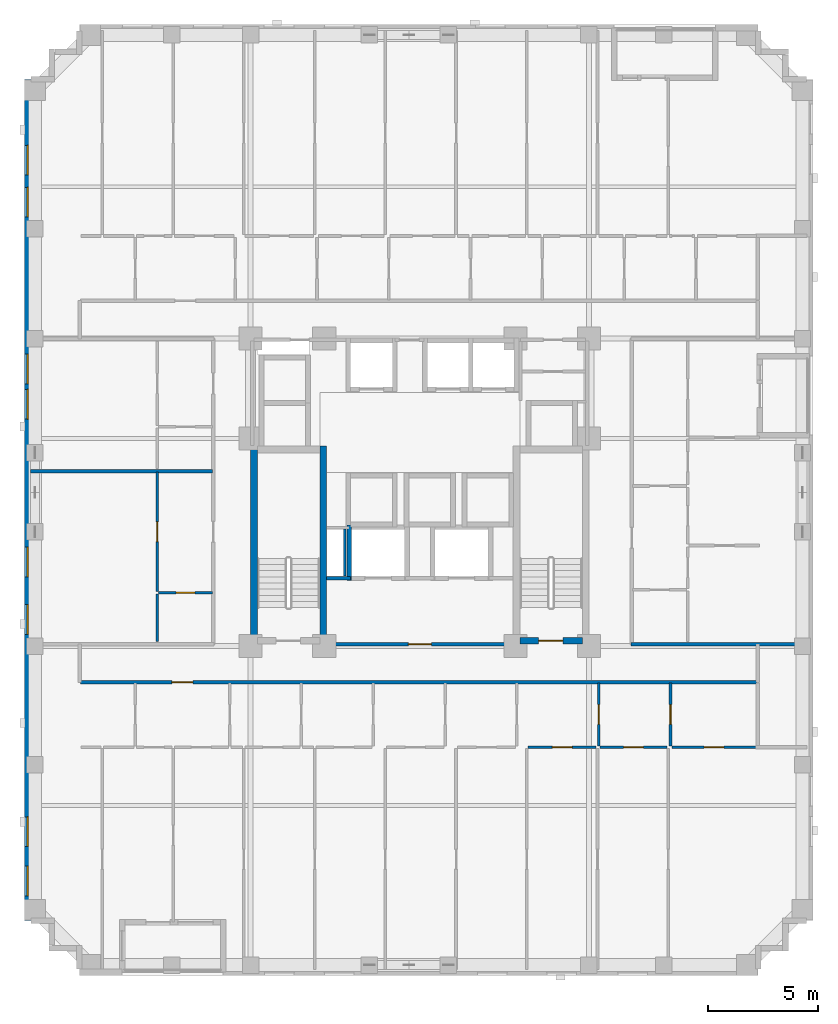
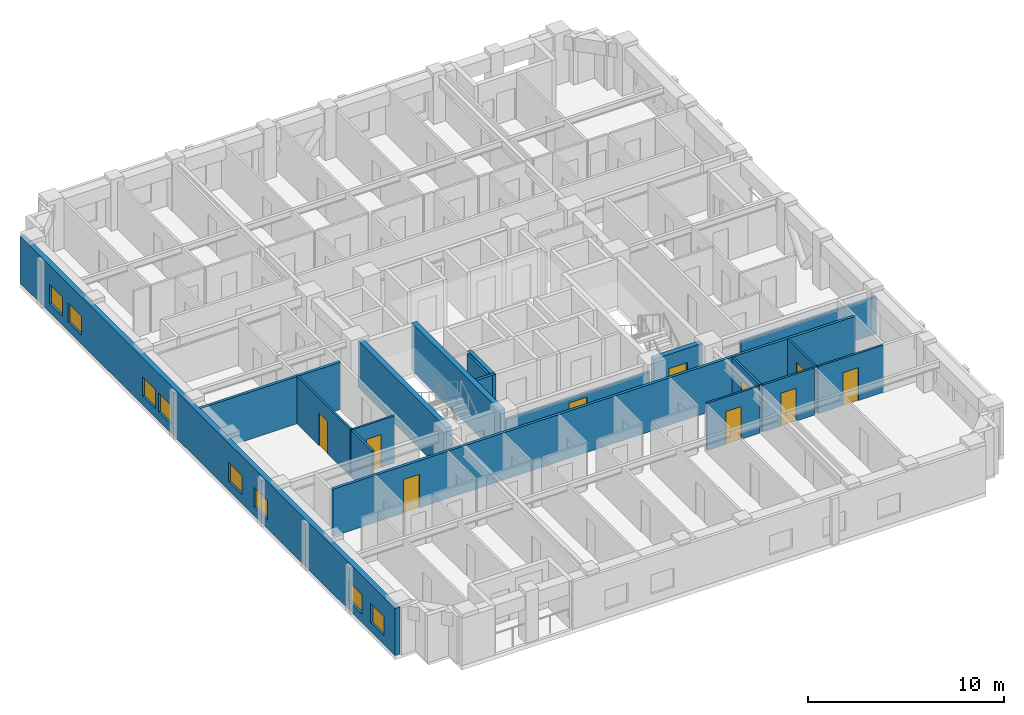
# One storey, part 4 of 13: 19 walls, 10 doors, 8 windows, 18 openings.
"""IFC4 building model written with IfcOpenShell, lengths in metres."""

from ifc_helpers import new_model, si_unit, derived_unit, direction, frame, frame_2d, origin, place, context, subcontext, project, spatial, rectangle, extrude, material, layer, layer_set, type_object, element, fill, save


model = new_model("IFC4")

# Units and contexts
model_context = context("Model", 3, precision=1e-05, world=origin(), true_north=direction((0.0, 1.0)))
body_context = subcontext(model_context, "Body", "Model", "MODEL_VIEW")
ifc_project = project(units=[si_unit("LENGTHUNIT", "METRE"), si_unit("AREAUNIT", "SQUARE_METRE"), si_unit("VOLUMEUNIT", "CUBIC_METRE"), si_unit("PLANEANGLEUNIT", "RADIAN"), si_unit("MASSUNIT", "GRAM", prefix="KILO"), derived_unit("THERMALTRANSMITTANCEUNIT", [(si_unit("MASSUNIT", "GRAM", prefix="KILO"), 1), (si_unit("TIMEUNIT", "SECOND"), -3), (si_unit("THERMODYNAMICTEMPERATUREUNIT", "KELVIN"), -1)])], contexts=[model_context])

# Site, building, storey
site_placement = place(None, origin())
site = spatial("IfcSite", under=ifc_project, at=site_placement, CompositionType="ELEMENT")
building_placement = place(site_placement, origin())
building = spatial("IfcBuilding", under=site, at=building_placement, Name="Korrvale Station Residences", CompositionType="ELEMENT")
storey_placement = place(building_placement, frame((0.0, 0.0, 97.5)))
storey = spatial("IfcBuildingStorey", under=building, at=storey_placement, Name="L27", CompositionType="ELEMENT", Elevation=97.5)

# Walls
ifc_material_1 = material(Name="Concrete C60/75", Category="concrete")
ifc_layer_1 = layer(ifc_material_1, 0.300048828125, Name="Concrete C60/75")
ifc_layer_set_1 = layer_set([ifc_layer_1], Name="Concrete C60/75")
wall_type_1 = type_object("IfcWallType", Name="WAL-CORE-300-C60", PredefinedType="SHEAR", material=ifc_layer_set_1)
for number, where, z_axis, x_axis, name in (
    (1, (17.949951171875, 15.10009765625, 0.0), (0.0, 0.0, 1.0), (0.0, 1.0, 0.0), "L27 ST-1 Core Shear Wall West"),
    (2, (21.10009765625, 15.10009765625, 0.0), (0.0, 0.0, 1.0), (0.0, 1.0, 0.0), "L27 ST-1 Core Shear Wall East"),
):
    element("IfcWall", number, at=place(storey_placement, frame(where, z_axis=z_axis, x_axis=x_axis)), inside=storey, type_object=wall_type_1, Name=name, PredefinedType="SHEAR", context=body_context, shape_type="SweptSolid", body=[
        extrude(rectangle(XDim=9.0, YDim=0.300048828125, at=frame_2d((4.5, 0.0))), origin(), (0.0, 0.0, 1.0), 2.93994140625),
    ])

# Wall, opening, door
wall_1_placement = place(storey_placement, frame((30.050048828125, 15.25, 0.0), z_axis=(0.0, 0.0, 1.0), x_axis=(1.0, 0.0, 0.0)))
wall_1 = element("IfcWall", 3, at=wall_1_placement, inside=storey, type_object=wall_type_1, Name="L27 ST-2 Core Shear Wall South", PredefinedType="SHEAR", context=body_context, shape_type="SweptSolid", body=[
    extrude(rectangle(XDim=2.849853515625, YDim=0.300048828125, at=frame_2d((1.4248046875, 0.0))), origin(), (0.0, 0.0, 1.0), 2.93994140625),
])
opening_1_placement = place(wall_1_placement, frame((0.860107421875, 0.0, 0.0)))
opening_1 = element("IfcOpeningElement", 4, at=opening_1_placement, cuts=wall_1, Name="Opening SD-1100", PredefinedType="OPENING", context=body_context, shape_type="SweptSolid", body=[
    extrude(rectangle(XDim=1.10009765625, YDim=2.050048828125, at=frame_2d((0.550048828125, 1.02490234375))), frame((0.0, 0.16015625, 0.0), z_axis=(0.0, -1.0, 0.0), x_axis=(1.0, 0.0, 0.0)), (0.0, 0.0, 1.0), 0.320068359375),
])
ifc_material_2 = material(Name="Hollow-metal fire-rated stair door with closer", Category="steel")
door_type_1 = type_object("IfcDoorType", Name="DR-STAIR-1100", OperationType="NOTDEFINED", PredefinedType="DOOR", material=ifc_material_2)
door_1_placement = place(opening_1_placement, origin())
door_1 = element("IfcDoor", 5, at=door_1_placement, inside=storey, type_object=door_type_1, Name="L27 ST-2 Exit Stair Door", OperationType="SINGLE_SWING_RIGHT", OverallHeight=2.050048828125, OverallWidth=1.10009765625, PredefinedType="DOOR", context=body_context, shape_type="SweptSolid", body=[
    extrude(rectangle(XDim=1.10009765625, YDim=2.050048828125, at=frame_2d((0.550048828125, 1.02490234375))), frame((0.0, 0.02490234375, 0.0), z_axis=(0.0, -1.0, 0.0), x_axis=(1.0, 0.0, 0.0)), (0.0, 0.0, 1.0), 0.050048828125),
])
fill(opening_1, door_1)

# Wall, openings, windows
ifc_material_3 = material(Name="Precast concrete C45/55", Category="concrete")
ifc_layer_2 = layer(ifc_material_3, 0.300048828125, Name="Precast concrete C45/55")
ifc_layer_set_2 = layer_set([ifc_layer_2], Name="Precast concrete C45/55")
wall_type_2 = type_object("IfcWallType", Name="WAL-EXT-PC300", PredefinedType="SOLIDWALL", material=ifc_layer_set_2)
wall_2_placement = place(storey_placement, frame((7.64990234375, 2.5, 0.0), z_axis=(0.0, 0.0, 1.0), x_axis=(0.0, 1.0, 0.0)))
wall_2 = element("IfcWall", 6, at=wall_2_placement, inside=storey, type_object=wall_type_2, Name="L27 West Exterior Precast Wall 1", PredefinedType="SOLIDWALL", context=body_context, shape_type="SweptSolid", body=[
    extrude(rectangle(XDim=38.300048828125, YDim=0.300048828125, at=frame_2d((19.14990234375, 0.0))), origin(), (0.0, 0.0, 1.0), 2.93994140625),
])
opening_2_placement = place(wall_2_placement, frame((3.3798828125, 0.0, 0.550048828125)))
opening_2 = element("IfcOpeningElement", 7, at=opening_2_placement, cuts=wall_2, Name="Opening W-10", PredefinedType="OPENING", context=body_context, shape_type="SweptSolid", body=[
    extrude(rectangle(XDim=1.35009765625, YDim=1.199951171875, at=frame_2d((0.675048828125, 0.60009765625))), frame((0.0, 0.16015625, 0.0), z_axis=(0.0, -1.0, 0.0), x_axis=(1.0, 0.0, 0.0)), (0.0, 0.0, 1.0), 0.320068359375),
])
opening_3_placement = place(wall_2_placement, frame((1.135009765625, 0.0, 0.550048828125)))
opening_3 = element("IfcOpeningElement", 8, at=opening_3_placement, cuts=wall_2, Name="Opening W-10", PredefinedType="OPENING", context=body_context, shape_type="SweptSolid", body=[
    extrude(rectangle(XDim=1.35009765625, YDim=1.199951171875, at=frame_2d((0.675048828125, 0.60009765625))), frame((0.0, 0.16015625, 0.0), z_axis=(0.0, -1.0, 0.0), x_axis=(1.0, 0.0, 0.0)), (0.0, 0.0, 1.0), 0.320068359375),
])
opening_4_placement = place(wall_2_placement, frame((33.946044921875, 0.0, 0.550048828125)))
opening_4 = element("IfcOpeningElement", 9, at=opening_4_placement, cuts=wall_2, Name="Opening W-10", PredefinedType="OPENING", context=body_context, shape_type="SweptSolid", body=[
    extrude(rectangle(XDim=1.35009765625, YDim=1.199951171875, at=frame_2d((0.675048828125, 0.60009765625))), frame((0.0, 0.16015625, 0.0), z_axis=(0.0, -1.0, 0.0), x_axis=(1.0, 0.0, 0.0)), (0.0, 0.0, 1.0), 0.320068359375),
])
opening_5_placement = place(wall_2_placement, frame((32.034912109375, 0.0, 0.550048828125)))
opening_5 = element("IfcOpeningElement", 10, at=opening_5_placement, cuts=wall_2, Name="Opening W-10", PredefinedType="OPENING", context=body_context, shape_type="SweptSolid", body=[
    extrude(rectangle(XDim=1.35009765625, YDim=1.199951171875, at=frame_2d((0.675048828125, 0.60009765625))), frame((0.0, 0.16015625, 0.0), z_axis=(0.0, -1.0, 0.0), x_axis=(1.0, 0.0, 0.0)), (0.0, 0.0, 1.0), 0.320068359375),
])
opening_6_placement = place(wall_2_placement, frame((15.64990234375, 0.0, 0.550048828125)))
opening_6 = element("IfcOpeningElement", 11, at=opening_6_placement, cuts=wall_2, Name="Opening W-10", PredefinedType="OPENING", context=body_context, shape_type="SweptSolid", body=[
    extrude(rectangle(XDim=1.35009765625, YDim=1.199951171875, at=frame_2d((0.675048828125, 0.60009765625))), frame((0.0, 0.16015625, 0.0), z_axis=(0.0, -1.0, 0.0), x_axis=(1.0, 0.0, 0.0)), (0.0, 0.0, 1.0), 0.320068359375),
])
opening_7_placement = place(wall_2_placement, frame((13.034912109375, 0.0, 0.550048828125)))
opening_7 = element("IfcOpeningElement", 12, at=opening_7_placement, cuts=wall_2, Name="Opening W-10", PredefinedType="OPENING", context=body_context, shape_type="SweptSolid", body=[
    extrude(rectangle(XDim=1.35009765625, YDim=1.199951171875, at=frame_2d((0.675048828125, 0.60009765625))), frame((0.0, 0.16015625, 0.0), z_axis=(0.0, -1.0, 0.0), x_axis=(1.0, 0.0, 0.0)), (0.0, 0.0, 1.0), 0.320068359375),
])
opening_8_placement = place(wall_2_placement, frame((22.8310546875, 0.0, 0.550048828125)))
opening_8 = element("IfcOpeningElement", 13, at=opening_8_placement, cuts=wall_2, Name="Opening W-10", PredefinedType="OPENING", context=body_context, shape_type="SweptSolid", body=[
    extrude(rectangle(XDim=1.35009765625, YDim=1.199951171875, at=frame_2d((0.675048828125, 0.60009765625))), frame((0.0, 0.16015625, 0.0), z_axis=(0.0, -1.0, 0.0), x_axis=(1.0, 0.0, 0.0)), (0.0, 0.0, 1.0), 0.320068359375),
])
opening_9_placement = place(wall_2_placement, frame((24.44091796875, 0.0, 0.550048828125)))
opening_9 = element("IfcOpeningElement", 14, at=opening_9_placement, cuts=wall_2, Name="Opening W-10", PredefinedType="OPENING", context=body_context, shape_type="SweptSolid", body=[
    extrude(rectangle(XDim=1.35009765625, YDim=1.199951171875, at=frame_2d((0.675048828125, 0.60009765625))), frame((0.0, 0.16015625, 0.0), z_axis=(0.0, -1.0, 0.0), x_axis=(1.0, 0.0, 0.0)), (0.0, 0.0, 1.0), 0.320068359375),
])
ifc_material_4 = material(Name="Thermally broken aluminium frame with triple low-e glazing", Category="aluminium")
window_type = type_object("IfcWindowType", Name="WIN-W10", PartitioningType="SINGLE_PANEL", PredefinedType="WINDOW", material=ifc_material_4)
window_1_placement = place(opening_2_placement, origin())
window_1 = element("IfcWindow", 15, at=window_1_placement, inside=storey, type_object=window_type, Name="L27 Punched Window 01", OverallHeight=1.199951171875, OverallWidth=1.35009765625, PartitioningType="SINGLE_PANEL", PredefinedType="WINDOW", context=body_context, shape_type="SweptSolid", body=[
    extrude(rectangle(XDim=1.35009765625, YDim=1.199951171875, at=frame_2d((0.675048828125, 0.60009765625))), frame((0.0, 0.030029296875, 0.0), z_axis=(0.0, -1.0, 0.0), x_axis=(1.0, 0.0, 0.0)), (0.0, 0.0, 1.0), 0.06005859375),
])
fill(opening_2, window_1)
window_2_placement = place(opening_3_placement, origin())
window_2 = element("IfcWindow", 16, at=window_2_placement, inside=storey, type_object=window_type, Name="L27 Punched Window 02", OverallHeight=1.199951171875, OverallWidth=1.35009765625, PartitioningType="SINGLE_PANEL", PredefinedType="WINDOW", context=body_context, shape_type="SweptSolid", body=[
    extrude(rectangle(XDim=1.35009765625, YDim=1.199951171875, at=frame_2d((0.675048828125, 0.60009765625))), frame((0.0, 0.030029296875, 0.0), z_axis=(0.0, -1.0, 0.0), x_axis=(1.0, 0.0, 0.0)), (0.0, 0.0, 1.0), 0.06005859375),
])
fill(opening_3, window_2)
window_3_placement = place(opening_4_placement, origin())
window_3 = element("IfcWindow", 17, at=window_3_placement, inside=storey, type_object=window_type, Name="L27 Punched Window 12", OverallHeight=1.199951171875, OverallWidth=1.35009765625, PartitioningType="SINGLE_PANEL", PredefinedType="WINDOW", context=body_context, shape_type="SweptSolid", body=[
    extrude(rectangle(XDim=1.35009765625, YDim=1.199951171875, at=frame_2d((0.675048828125, 0.60009765625))), frame((0.0, 0.030029296875, 0.0), z_axis=(0.0, -1.0, 0.0), x_axis=(1.0, 0.0, 0.0)), (0.0, 0.0, 1.0), 0.06005859375),
])
fill(opening_4, window_3)
window_4_placement = place(opening_5_placement, origin())
window_4 = element("IfcWindow", 18, at=window_4_placement, inside=storey, type_object=window_type, Name="L27 Punched Window 13", OverallHeight=1.199951171875, OverallWidth=1.35009765625, PartitioningType="SINGLE_PANEL", PredefinedType="WINDOW", context=body_context, shape_type="SweptSolid", body=[
    extrude(rectangle(XDim=1.35009765625, YDim=1.199951171875, at=frame_2d((0.675048828125, 0.60009765625))), frame((0.0, 0.030029296875, 0.0), z_axis=(0.0, -1.0, 0.0), x_axis=(1.0, 0.0, 0.0)), (0.0, 0.0, 1.0), 0.06005859375),
])
fill(opening_5, window_4)
window_5_placement = place(opening_6_placement, origin())
window_5 = element("IfcWindow", 19, at=window_5_placement, inside=storey, type_object=window_type, Name="L27 Punched Window 23", OverallHeight=1.199951171875, OverallWidth=1.35009765625, PartitioningType="SINGLE_PANEL", PredefinedType="WINDOW", context=body_context, shape_type="SweptSolid", body=[
    extrude(rectangle(XDim=1.35009765625, YDim=1.199951171875, at=frame_2d((0.675048828125, 0.60009765625))), frame((0.0, 0.030029296875, 0.0), z_axis=(0.0, -1.0, 0.0), x_axis=(1.0, 0.0, 0.0)), (0.0, 0.0, 1.0), 0.06005859375),
])
fill(opening_6, window_5)
window_6_placement = place(opening_7_placement, origin())
window_6 = element("IfcWindow", 20, at=window_6_placement, inside=storey, type_object=window_type, Name="L27 Punched Window 24", OverallHeight=1.199951171875, OverallWidth=1.35009765625, PartitioningType="SINGLE_PANEL", PredefinedType="WINDOW", context=body_context, shape_type="SweptSolid", body=[
    extrude(rectangle(XDim=1.35009765625, YDim=1.199951171875, at=frame_2d((0.675048828125, 0.60009765625))), frame((0.0, 0.030029296875, 0.0), z_axis=(0.0, -1.0, 0.0), x_axis=(1.0, 0.0, 0.0)), (0.0, 0.0, 1.0), 0.06005859375),
])
fill(opening_7, window_6)
window_7_placement = place(opening_8_placement, origin())
window_7 = element("IfcWindow", 21, at=window_7_placement, inside=storey, type_object=window_type, Name="L27 Punched Window 25", OverallHeight=1.199951171875, OverallWidth=1.35009765625, PartitioningType="SINGLE_PANEL", PredefinedType="WINDOW", context=body_context, shape_type="SweptSolid", body=[
    extrude(rectangle(XDim=1.35009765625, YDim=1.199951171875, at=frame_2d((0.675048828125, 0.60009765625))), frame((0.0, 0.030029296875, 0.0), z_axis=(0.0, -1.0, 0.0), x_axis=(1.0, 0.0, 0.0)), (0.0, 0.0, 1.0), 0.06005859375),
])
fill(opening_8, window_7)
window_8_placement = place(opening_9_placement, origin())
window_8 = element("IfcWindow", 22, at=window_8_placement, inside=storey, type_object=window_type, Name="L27 Punched Window 26", OverallHeight=1.199951171875, OverallWidth=1.35009765625, PartitioningType="SINGLE_PANEL", PredefinedType="WINDOW", context=body_context, shape_type="SweptSolid", body=[
    extrude(rectangle(XDim=1.35009765625, YDim=1.199951171875, at=frame_2d((0.675048828125, 0.60009765625))), frame((0.0, 0.030029296875, 0.0), z_axis=(0.0, -1.0, 0.0), x_axis=(1.0, 0.0, 0.0)), (0.0, 0.0, 1.0), 0.06005859375),
])
fill(opening_9, window_8)

# Wall
ifc_material_5 = material(Name="Acoustic steel-stud gypsum board partition", Category="steel")
ifc_layer_3 = layer(ifc_material_5, 0.1201171875, Name="Acoustic steel-stud gypsum board partition")
ifc_layer_set_3 = layer_set([ifc_layer_3], Name="Acoustic steel-stud gypsum board partition")
wall_type_3 = type_object("IfcWallType", Name="WAL-PART-125", PredefinedType="PARTITIONING", material=ifc_layer_set_3)
wall_3_placement = place(storey_placement, frame((22.080078125, 18.199951171875, 0.0), z_axis=(0.0, 0.0, 1.0), x_axis=(0.0, 1.0, 0.0)))
element("IfcWall", 23, at=wall_3_placement, inside=storey, type_object=wall_type_3, Name="L27 Core Partition CW-RSWT", PredefinedType="PARTITIONING", context=body_context, shape_type="SweptSolid", body=[
    extrude(rectangle(XDim=2.1201171875, YDim=0.1201171875, at=frame_2d((1.06005859375, 0.0))), origin(), (0.0, 0.0, 1.0), 2.93994140625),
])

# Wall, opening, door
wall_4_placement = place(storey_placement, frame((33.639892578125, 10.4599609375, 0.0), z_axis=(0.0, 0.0, 1.0), x_axis=(0.0, 1.0, 0.0)))
wall_4 = element("IfcWall", 24, at=wall_4_placement, inside=storey, type_object=wall_type_3, Name="L27 Suite Partition U01-V67", PredefinedType="PARTITIONING", context=body_context, shape_type="SweptSolid", body=[
    extrude(rectangle(XDim=2.85009765625, YDim=0.1201171875, at=frame_2d((1.425048828125, 0.0))), origin(), (0.0, 0.0, 1.0), 2.93994140625),
])
opening_10_placement = place(wall_4_placement, frame((0.97509765625, 0.0, 0.0)))
opening_10 = element("IfcOpeningElement", 25, at=opening_10_placement, cuts=wall_4, Name="Opening DI-900", PredefinedType="OPENING", context=body_context, shape_type="SweptSolid", body=[
    extrude(rectangle(XDim=0.89990234375, YDim=2.050048828125, at=frame_2d((0.449951171875, 1.02490234375))), frame((0.0, 0.070068359375, 0.0), z_axis=(0.0, -1.0, 0.0), x_axis=(1.0, 0.0, 0.0)), (0.0, 0.0, 1.0), 0.14013671875),
])
ifc_material_6 = material(Name="Painted solid-core timber interior room door", Category="wood")
door_type_2 = type_object("IfcDoorType", Name="DR-INT-900", OperationType="NOTDEFINED", PredefinedType="DOOR", material=ifc_material_6)
door_2_placement = place(opening_10_placement, origin())
door_2 = element("IfcDoor", 26, at=door_2_placement, inside=storey, type_object=door_type_2, Name="L27 Studio Apartment L27-U01 Utility and Laundry Room Door", OperationType="SINGLE_SWING_RIGHT", OverallHeight=2.050048828125, OverallWidth=0.89990234375, PredefinedType="DOOR", context=body_context, shape_type="SweptSolid", body=[
    extrude(rectangle(XDim=0.89990234375, YDim=2.050048828125, at=frame_2d((0.449951171875, 1.02490234375))), frame((0.0, 0.02490234375, 0.0), z_axis=(0.0, -1.0, 0.0), x_axis=(1.0, 0.0, 0.0)), (0.0, 0.0, 1.0), 0.050048828125),
])
fill(opening_10, door_2)

wall_5_placement = place(storey_placement, frame((30.429931640625, 10.39990234375, 0.0), z_axis=(0.0, 0.0, 1.0), x_axis=(1.0, 0.0, 0.0)))
wall_5 = element("IfcWall", 27, at=wall_5_placement, inside=storey, type_object=wall_type_3, Name="L27 Suite Partition U01-H616", PredefinedType="PARTITIONING", context=body_context, shape_type="SweptSolid", body=[
    extrude(rectangle(XDim=3.10009765625, YDim=0.1201171875, at=frame_2d((1.550048828125, 0.0))), origin(), (0.0, 0.0, 1.0), 2.93994140625),
])
opening_11_placement = place(wall_5_placement, frame((1.10009765625, 0.0, 0.0)))
opening_11 = element("IfcOpeningElement", 28, at=opening_11_placement, cuts=wall_5, Name="Opening DI-900", PredefinedType="OPENING", context=body_context, shape_type="SweptSolid", body=[
    extrude(rectangle(XDim=0.89990234375, YDim=2.050048828125, at=frame_2d((0.449951171875, 1.02490234375))), frame((0.0, 0.070068359375, 0.0), z_axis=(0.0, -1.0, 0.0), x_axis=(1.0, 0.0, 0.0)), (0.0, 0.0, 1.0), 0.14013671875),
])
door_3_placement = place(opening_11_placement, origin())
door_3 = element("IfcDoor", 29, at=door_3_placement, inside=storey, type_object=door_type_2, Name="L27 Studio Apartment L27-U01 Utility and Laundry Room Door", OperationType="SINGLE_SWING_LEFT", OverallHeight=2.050048828125, OverallWidth=0.89990234375, PredefinedType="DOOR", context=body_context, shape_type="SweptSolid", body=[
    extrude(rectangle(XDim=0.89990234375, YDim=2.050048828125, at=frame_2d((0.449951171875, 1.02490234375))), frame((0.0, 0.02490234375, 0.0), z_axis=(0.0, -1.0, 0.0), x_axis=(1.0, 0.0, 0.0)), (0.0, 0.0, 1.0), 0.050048828125),
])
fill(opening_11, door_3)

wall_6_placement = place(storey_placement, frame((36.909912109375, 10.4599609375, 0.0), z_axis=(0.0, 0.0, 1.0), x_axis=(0.0, 1.0, 0.0)))
wall_6 = element("IfcWall", 30, at=wall_6_placement, inside=storey, type_object=wall_type_3, Name="L27 Suite Partition U01-V78", PredefinedType="PARTITIONING", context=body_context, shape_type="SweptSolid", body=[
    extrude(rectangle(XDim=2.85009765625, YDim=0.1201171875, at=frame_2d((1.425048828125, 0.0))), origin(), (0.0, 0.0, 1.0), 2.93994140625),
])
opening_12_placement = place(wall_6_placement, frame((0.97509765625, 0.0, 0.0)))
opening_12 = element("IfcOpeningElement", 31, at=opening_12_placement, cuts=wall_6, Name="Opening DI-900", PredefinedType="OPENING", context=body_context, shape_type="SweptSolid", body=[
    extrude(rectangle(XDim=0.89990234375, YDim=2.050048828125, at=frame_2d((0.449951171875, 1.02490234375))), frame((0.0, 0.070068359375, 0.0), z_axis=(0.0, -1.0, 0.0), x_axis=(1.0, 0.0, 0.0)), (0.0, 0.0, 1.0), 0.14013671875),
])
door_4_placement = place(opening_12_placement, origin())
door_4 = element("IfcDoor", 32, at=door_4_placement, inside=storey, type_object=door_type_2, Name="L27 Studio Apartment L27-U01 Storage Closet 2 Door", OperationType="SINGLE_SWING_RIGHT", OverallHeight=2.050048828125, OverallWidth=0.89990234375, PredefinedType="DOOR", context=body_context, shape_type="SweptSolid", body=[
    extrude(rectangle(XDim=0.89990234375, YDim=2.050048828125, at=frame_2d((0.449951171875, 1.02490234375))), frame((0.0, 0.02490234375, 0.0), z_axis=(0.0, -1.0, 0.0), x_axis=(1.0, 0.0, 0.0)), (0.0, 0.0, 1.0), 0.050048828125),
])
fill(opening_12, door_4)

wall_7_placement = place(storey_placement, frame((33.699951171875, 10.39990234375, 0.0), z_axis=(0.0, 0.0, 1.0), x_axis=(1.0, 0.0, 0.0)))
wall_7 = element("IfcWall", 33, at=wall_7_placement, inside=storey, type_object=wall_type_3, Name="L27 Suite Partition U01-H717", PredefinedType="PARTITIONING", context=body_context, shape_type="SweptSolid", body=[
    extrude(rectangle(XDim=3.050048828125, YDim=0.1201171875, at=frame_2d((1.52490234375, 0.0))), origin(), (0.0, 0.0, 1.0), 2.93994140625),
])
opening_13_placement = place(wall_7_placement, frame((1.074951171875, 0.0, 0.0)))
opening_13 = element("IfcOpeningElement", 34, at=opening_13_placement, cuts=wall_7, Name="Opening DI-900", PredefinedType="OPENING", context=body_context, shape_type="SweptSolid", body=[
    extrude(rectangle(XDim=0.89990234375, YDim=2.050048828125, at=frame_2d((0.449951171875, 1.02490234375))), frame((0.0, 0.070068359375, 0.0), z_axis=(0.0, -1.0, 0.0), x_axis=(1.0, 0.0, 0.0)), (0.0, 0.0, 1.0), 0.14013671875),
])
door_5_placement = place(opening_13_placement, origin())
door_5 = element("IfcDoor", 35, at=door_5_placement, inside=storey, type_object=door_type_2, Name="L27 Studio Apartment L27-U01 Storage Closet 2 Door", OperationType="SINGLE_SWING_LEFT", OverallHeight=2.050048828125, OverallWidth=0.89990234375, PredefinedType="DOOR", context=body_context, shape_type="SweptSolid", body=[
    extrude(rectangle(XDim=0.89990234375, YDim=2.050048828125, at=frame_2d((0.449951171875, 1.02490234375))), frame((0.0, 0.02490234375, 0.0), z_axis=(0.0, -1.0, 0.0), x_axis=(1.0, 0.0, 0.0)), (0.0, 0.0, 1.0), 0.050048828125),
])
fill(opening_13, door_5)

wall_8_placement = place(storey_placement, frame((36.969970703125, 10.39990234375, 0.0), z_axis=(0.0, 0.0, 1.0), x_axis=(1.0, 0.0, 0.0)))
wall_8 = element("IfcWall", 36, at=wall_8_placement, inside=storey, type_object=wall_type_3, Name="L27 Suite Partition U01-H818", PredefinedType="PARTITIONING", context=body_context, shape_type="SweptSolid", body=[
    extrude(rectangle(XDim=3.85009765625, YDim=0.1201171875, at=frame_2d((1.925048828125, 0.0))), origin(), (0.0, 0.0, 1.0), 2.93994140625),
])
opening_14_placement = place(wall_8_placement, frame((1.47509765625, 0.0, 0.0)))
opening_14 = element("IfcOpeningElement", 37, at=opening_14_placement, cuts=wall_8, Name="Opening DI-900", PredefinedType="OPENING", context=body_context, shape_type="SweptSolid", body=[
    extrude(rectangle(XDim=0.89990234375, YDim=2.050048828125, at=frame_2d((0.449951171875, 1.02490234375))), frame((0.0, 0.070068359375, 0.0), z_axis=(0.0, -1.0, 0.0), x_axis=(1.0, 0.0, 0.0)), (0.0, 0.0, 1.0), 0.14013671875),
])
door_6_placement = place(opening_14_placement, origin())
door_6 = element("IfcDoor", 38, at=door_6_placement, inside=storey, type_object=door_type_2, Name="L27 Studio Apartment L27-U01 Storage Closet 3 Door", OperationType="SINGLE_SWING_RIGHT", OverallHeight=2.050048828125, OverallWidth=0.89990234375, PredefinedType="DOOR", context=body_context, shape_type="SweptSolid", body=[
    extrude(rectangle(XDim=0.89990234375, YDim=2.050048828125, at=frame_2d((0.449951171875, 1.02490234375))), frame((0.0, 0.02490234375, 0.0), z_axis=(0.0, -1.0, 0.0), x_axis=(1.0, 0.0, 0.0)), (0.0, 0.0, 1.0), 0.050048828125),
])
fill(opening_14, door_6)

wall_9_placement = place(storey_placement, frame((13.610107421875, 17.428955078125, 0.0), z_axis=(0.0, 0.0, 1.0), x_axis=(1.0, 0.0, 0.0)))
wall_9 = element("IfcWall", 39, at=wall_9_placement, inside=storey, type_object=wall_type_3, Name="L27 Suite Partition U03-H01", PredefinedType="PARTITIONING", context=body_context, shape_type="SweptSolid", body=[
    extrude(rectangle(XDim=2.449951171875, YDim=0.1201171875, at=frame_2d((1.22509765625, 0.0))), origin(), (0.0, 0.0, 1.0), 2.93994140625),
])
opening_15_placement = place(wall_9_placement, frame((0.794921875, 0.0, 0.0)))
opening_15 = element("IfcOpeningElement", 40, at=opening_15_placement, cuts=wall_9, Name="Opening DB-860", PredefinedType="OPENING", context=body_context, shape_type="SweptSolid", body=[
    extrude(rectangle(XDim=0.860107421875, YDim=2.050048828125, at=frame_2d((0.43017578125, 1.02490234375))), frame((0.0, 0.070068359375, 0.0), z_axis=(0.0, -1.0, 0.0), x_axis=(1.0, 0.0, 0.0)), (0.0, 0.0, 1.0), 0.14013671875),
])
ifc_material_7 = material(Name="Moisture-resistant solid-core bathroom door", Category="timber")
door_type_3 = type_object("IfcDoorType", Name="DR-BATH-860", OperationType="NOTDEFINED", PredefinedType="DOOR", material=ifc_material_7)
door_7_placement = place(opening_15_placement, origin())
door_7 = element("IfcDoor", 41, at=door_7_placement, inside=storey, type_object=door_type_3, Name="L27 Apartment 1BR L27-U03 Bathroom Door", OperationType="SINGLE_SWING_LEFT", OverallHeight=2.050048828125, OverallWidth=0.860107421875, PredefinedType="DOOR", context=body_context, shape_type="SweptSolid", body=[
    extrude(rectangle(XDim=0.860107421875, YDim=2.050048828125, at=frame_2d((0.43017578125, 1.02490234375))), frame((0.0, 0.02490234375, 0.0), z_axis=(0.0, -1.0, 0.0), x_axis=(1.0, 0.0, 0.0)), (0.0, 0.0, 1.0), 0.050048828125),
])
fill(opening_15, door_7)

# Wall
wall_10_placement = place(storey_placement, frame((13.550048828125, 15.2099609375, 0.0), z_axis=(0.0, 0.0, 1.0), x_axis=(0.0, 1.0, 0.0)))
element("IfcWall", 42, at=wall_10_placement, inside=storey, type_object=wall_type_3, Name="L27 Suite Partition U03-V02", PredefinedType="PARTITIONING", context=body_context, shape_type="SweptSolid", body=[
    extrude(rectangle(XDim=2.158935546875, YDim=0.1201171875, at=frame_2d((1.07958984375, 0.0))), origin(), (0.0, 0.0, 1.0), 2.93994140625),
])

# Wall, opening, door
wall_11_placement = place(storey_placement, frame((13.550048828125, 17.489013671875, 0.0), z_axis=(0.0, 0.0, 1.0), x_axis=(0.0, 1.0, 0.0)))
wall_11 = element("IfcWall", 43, at=wall_11_placement, inside=storey, type_object=wall_type_3, Name="L27 Suite Partition U03-V12", PredefinedType="PARTITIONING", context=body_context, shape_type="SweptSolid", body=[
    extrude(rectangle(XDim=5.43310546875, YDim=0.1201171875, at=frame_2d((2.716552734375, 0.0))), origin(), (0.0, 0.0, 1.0), 2.93994140625),
])
opening_16_placement = place(wall_11_placement, frame((2.26611328125, 0.0, 0.0)))
opening_16 = element("IfcOpeningElement", 44, at=opening_16_placement, cuts=wall_11, Name="Opening DI-900", PredefinedType="OPENING", context=body_context, shape_type="SweptSolid", body=[
    extrude(rectangle(XDim=0.89990234375, YDim=2.050048828125, at=frame_2d((0.449951171875, 1.02490234375))), frame((0.0, 0.070068359375, 0.0), z_axis=(0.0, -1.0, 0.0), x_axis=(1.0, 0.0, 0.0)), (0.0, 0.0, 1.0), 0.14013671875),
])
door_8_placement = place(opening_16_placement, origin())
door_8 = element("IfcDoor", 45, at=door_8_placement, inside=storey, type_object=door_type_2, Name="L27 Apartment 1BR L27-U03 Kitchen Door", OperationType="SINGLE_SWING_RIGHT", OverallHeight=2.050048828125, OverallWidth=0.89990234375, PredefinedType="DOOR", context=body_context, shape_type="SweptSolid", body=[
    extrude(rectangle(XDim=0.89990234375, YDim=2.050048828125, at=frame_2d((0.449951171875, 1.02490234375))), frame((0.0, 0.02490234375, 0.0), z_axis=(0.0, -1.0, 0.0), x_axis=(1.0, 0.0, 0.0)), (0.0, 0.0, 1.0), 0.050048828125),
])
fill(opening_16, door_8)

ifc_material_8 = material(Name="Fire-rated twin-stud gypsum and mineral wool shaftwall assembly", Category="gypsum")
ifc_layer_4 = layer(ifc_material_8, 0.159912109375, Name="Fire-rated twin-stud gypsum and mineral wool shaftwall assembly")
ifc_layer_set_4 = layer_set([ifc_layer_4], Name="Fire-rated twin-stud gypsum and mineral wool shaftwall assembly")
wall_type_4 = type_object("IfcWallType", Name="WAL-PART-200", PredefinedType="PARTITIONING", material=ifc_layer_set_4)
wall_12_placement = place(storey_placement, frame((21.25, 15.080078125, 0.0), z_axis=(0.0, 0.0, 1.0), x_axis=(1.0, 0.0, 0.0)))
wall_12 = element("IfcWall", 46, at=wall_12_placement, inside=storey, type_object=wall_type_4, Name="L27 Core Partition CW-FFL-S", PredefinedType="PARTITIONING", context=body_context, shape_type="SweptSolid", body=[
    extrude(rectangle(XDim=8.5, YDim=0.159912109375, at=frame_2d((4.25, 0.0))), origin(), (0.0, 0.0, 1.0), 2.31298828125),
])
opening_17_placement = place(wall_12_placement, frame((3.72509765625, 0.0, 0.0)))
opening_17 = element("IfcOpeningElement", 47, at=opening_17_placement, cuts=wall_12, Name="Opening FD-1050", PredefinedType="OPENING", context=body_context, shape_type="SweptSolid", body=[
    extrude(rectangle(XDim=1.050048828125, YDim=2.050048828125, at=frame_2d((0.52490234375, 1.02490234375))), frame((0.0, 0.08984375, 0.0), z_axis=(0.0, -1.0, 0.0), x_axis=(1.0, 0.0, 0.0)), (0.0, 0.0, 1.0), 0.179931640625),
])
ifc_material_9 = material(Name="Fire-rated mineral-core timber lobby door", Category="wood")
door_type_4 = type_object("IfcDoorType", Name="DR-CORE-1050", OperationType="NOTDEFINED", PredefinedType="DOOR", material=ifc_material_9)
door_9_placement = place(opening_17_placement, origin())
door_9 = element("IfcDoor", 48, at=door_9_placement, inside=storey, type_object=door_type_4, Name="L27 Firefighting Lobby Entry Door", OperationType="SINGLE_SWING_LEFT", OverallHeight=2.050048828125, OverallWidth=1.050048828125, PredefinedType="DOOR", context=body_context, shape_type="SweptSolid", body=[
    extrude(rectangle(XDim=1.050048828125, YDim=2.050048828125, at=frame_2d((0.52490234375, 1.02490234375))), frame((0.0, 0.02490234375, 0.0), z_axis=(0.0, -1.0, 0.0), x_axis=(1.0, 0.0, 0.0)), (0.0, 0.0, 1.0), 0.050048828125),
])
fill(opening_17, door_9)

# Walls
wall_13_placement = place(storey_placement, frame((21.25, 18.080078125, 0.0), z_axis=(0.0, 0.0, 1.0), x_axis=(1.0, 0.0, 0.0)))
element("IfcWall", 49, at=wall_13_placement, inside=storey, type_object=wall_type_4, Name="L27 Core Partition CW-FFL-N1", PredefinedType="PARTITIONING", context=body_context, shape_type="SweptSolid", body=[
    extrude(rectangle(XDim=1.10009765625, YDim=0.159912109375, at=frame_2d((0.550048828125, 0.0))), origin(), (0.0, 0.0, 1.0), 2.93994140625),
])
wall_14_placement = place(storey_placement, frame((35.110107421875, 15.090087890625, 0.0), z_axis=(0.0, 0.0, 1.0), x_axis=(1.0, 0.0, 0.0)))
element("IfcWall", 50, at=wall_14_placement, inside=storey, type_object=wall_type_4, Name="L27 East Wing South Corridor Wall", PredefinedType="PARTITIONING", context=body_context, shape_type="SweptSolid", body=[
    extrude(rectangle(XDim=8.010009765625, YDim=0.159912109375, at=frame_2d((4.0048828125, 0.0))), origin(), (0.0, 0.0, 1.0), 2.31298828125),
])
wall_15_placement = place(storey_placement, frame((7.780029296875, 22.9619140625, 0.0), z_axis=(0.0, 0.0, 1.0), x_axis=(1.0, 0.0, 0.0)))
element("IfcWall", 51, at=wall_15_placement, inside=storey, type_object=wall_type_4, Name="L27 Demising Wall U03-N", PredefinedType="PARTITIONING", context=body_context, shape_type="SweptSolid", body=[
    extrude(rectangle(XDim=8.280029296875, YDim=0.159912109375, at=frame_2d((4.14013671875, 0.0))), origin(), (0.0, 0.0, 1.0), 2.93994140625),
])

# Wall, opening, door
wall_16_placement = place(storey_placement, frame((10.050048828125, 13.35009765625, 0.0), z_axis=(0.0, 0.0, 1.0), x_axis=(1.0, 0.0, 0.0)))
wall_16 = element("IfcWall", 52, at=wall_16_placement, inside=storey, type_object=wall_type_4, Name="L27 Rated Corridor Wall S", PredefinedType="PARTITIONING", context=body_context, shape_type="SweptSolid", body=[
    extrude(rectangle(XDim=30.800048828125, YDim=0.159912109375, at=frame_2d((15.39990234375, 0.0))), origin(), (0.0, 0.0, 1.0), 2.93994140625),
])
opening_18_placement = place(wall_16_placement, frame((4.1650390625, 0.0, 0.0)))
opening_18 = element("IfcOpeningElement", 53, at=opening_18_placement, cuts=wall_16, Name="Opening UD-950", PredefinedType="OPENING", context=body_context, shape_type="SweptSolid", body=[
    extrude(rectangle(XDim=0.949951171875, YDim=2.10009765625, at=frame_2d((0.47509765625, 1.050048828125))), frame((0.0, 0.08984375, 0.0), z_axis=(0.0, -1.0, 0.0), x_axis=(1.0, 0.0, 0.0)), (0.0, 0.0, 1.0), 0.179931640625),
])
ifc_material_10 = material(Name="Solid-core acoustic oak apartment entrance door", Category="timber")
door_type_5 = type_object("IfcDoorType", Name="DR-UNIT-950", OperationType="NOTDEFINED", PredefinedType="DOOR", material=ifc_material_10)
door_10_placement = place(opening_18_placement, origin())
door_10 = element("IfcDoor", 54, at=door_10_placement, inside=storey, type_object=door_type_5, Name="L27 Apartment L27-U01 Entrance Door", OperationType="SINGLE_SWING_LEFT", OverallHeight=2.10009765625, OverallWidth=0.949951171875, PredefinedType="DOOR", context=body_context, shape_type="SweptSolid", body=[
    extrude(rectangle(XDim=0.949951171875, YDim=2.10009765625, at=frame_2d((0.47509765625, 1.050048828125))), frame((0.0, 0.02490234375, 0.0), z_axis=(0.0, -1.0, 0.0), x_axis=(1.0, 0.0, 0.0)), (0.0, 0.0, 1.0), 0.050048828125),
])
fill(opening_18, door_10)

# Wall
ifc_layer_5 = layer(ifc_material_1, 0.219970703125, Name="Concrete C60/75")
ifc_layer_set_5 = layer_set([ifc_layer_5], Name="Concrete C60/75")
wall_type_5 = type_object("IfcWallType", Name="WAL-SHAFT-220-C60", PredefinedType="SHEAR", material=ifc_layer_set_5)
wall_17_placement = place(storey_placement, frame((22.2900390625, 17.97998046875, 0.0), z_axis=(0.0, 0.0, 1.0), x_axis=(0.0, 1.0, 0.0)))
element("IfcWall", 55, at=wall_17_placement, inside=storey, type_object=wall_type_5, Name="L27 Elevator FFL-1 Hoistway Wall West", PredefinedType="SHEAR", context=body_context, shape_type="SweptSolid", body=[
    extrude(rectangle(XDim=2.5400390625, YDim=0.219970703125, at=frame_2d((1.27001953125, 0.0))), origin(), (0.0, 0.0, 1.0), 2.93994140625),
])

save(model, "model.ifc")
